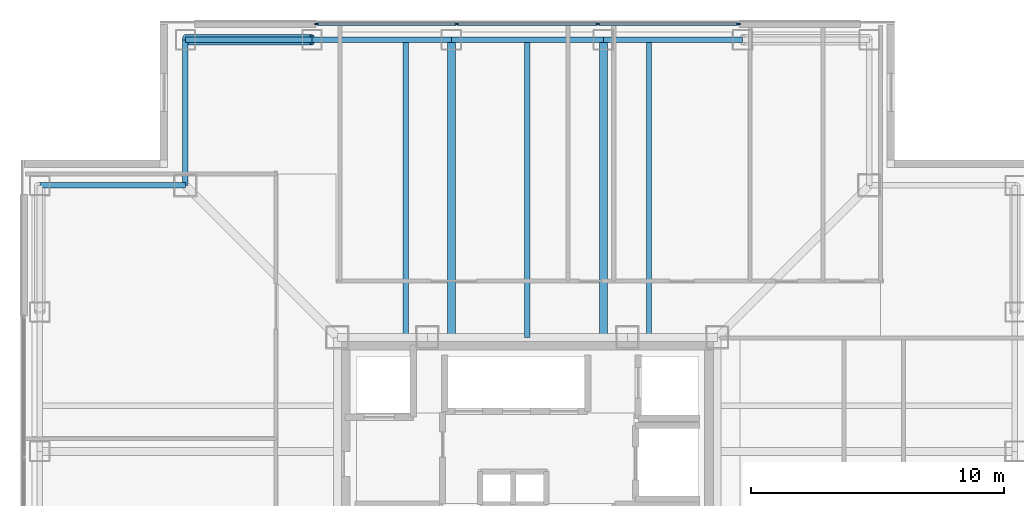
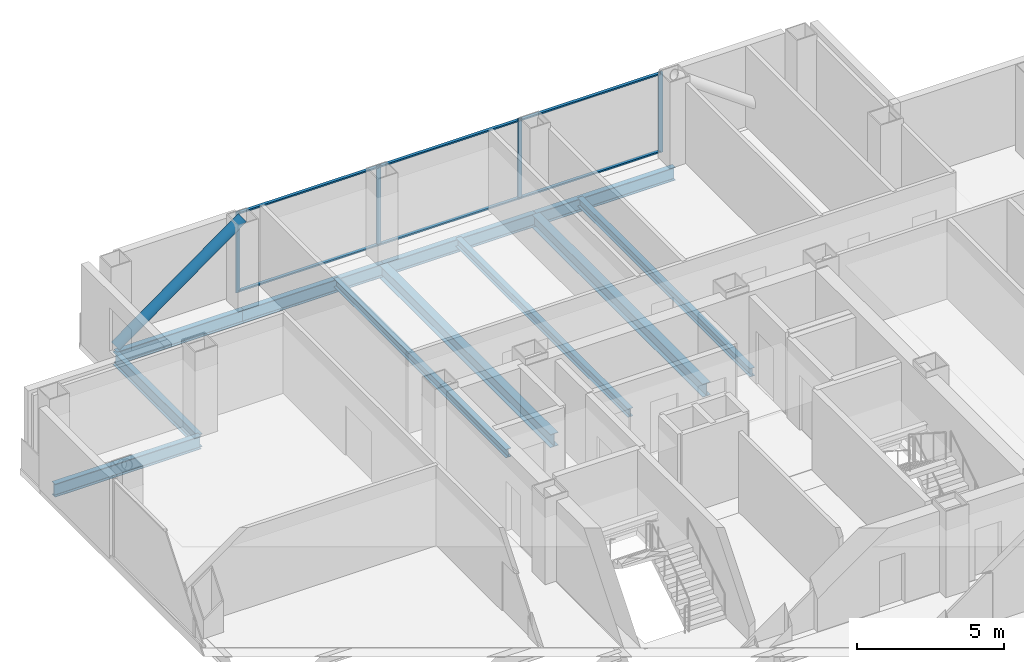
# One storey, part 7 of 16: 11 beams, 11 members, 1 element without a shape of its own.
"""IFC4 building model written with IfcOpenShell, lengths in metres."""

from ifc_helpers import new_model, si_unit, direction, frame, origin, origin_2d, place, context, subcontext, project, spatial, rectangle, hollow_circle, i_section, extrude, material, layer, layer_set, material_profile, profile_set, type_object, element, aggregate, save


model = new_model("IFC4")

# Units and contexts
model_context = context("Model", 3, precision=1e-05, world=origin(), true_north=direction((0.0, 1.0)))
body_context = subcontext(model_context, "Body", "Model", "MODEL_VIEW")
ifc_project = project(units=[si_unit("LENGTHUNIT", "METRE"), si_unit("AREAUNIT", "SQUARE_METRE"), si_unit("VOLUMEUNIT", "CUBIC_METRE"), si_unit("PLANEANGLEUNIT", "RADIAN"), si_unit("MASSUNIT", "GRAM", prefix="KILO")], contexts=[model_context])

# Site, building, storey
site_placement = place(None, origin())
site = spatial("IfcSite", under=ifc_project, at=site_placement, CompositionType="ELEMENT")
building_placement = place(site_placement, origin())
building = spatial("IfcBuilding", under=site, at=building_placement, Name="Trevonay Congress Spire", CompositionType="ELEMENT")
storey_placement = place(building_placement, frame((0.0, 0.0, 180.60009765625)))
storey = spatial("IfcBuildingStorey", under=building, at=storey_placement, Name="L46", CompositionType="ELEMENT", Elevation=180.60009765625)

# Beams
ifc_material_1 = material(Name="Steel ASTM A572 Grade 50", Category="steel")
ifc_material_profile_1 = material_profile(ifc_material_1, i_section(OverallWidth=0.31201171875, OverallDepth=0.54296875, WebThickness=0.0126953125, FlangeThickness=0.020263671875, FilletRadius=0.014892578125, at=origin_2d()), Name="W530x150")
ifc_profile_set_1 = profile_set([ifc_material_profile_1], Name="Steel ASTM A572 Grade 50")
beam_type_1 = type_object("IfcBeamType", Name="BM-GIRD-W530X150", PredefinedType="BEAM", material=ifc_profile_set_1)
for number, where, z_axis, x_axis, name in (
    (1, (-3.0, 7.5, -0.51171875), (0.0, 1.0, 0.0), (-1.0, 0.0, 0.0), "L46 structural beam BM-L46-GN-M"),
    (2, (3.0, 7.5, -0.51171875), (0.0, 1.0, 0.0), (-1.0, 0.0, 0.0), "L46 structural beam BM-L46-GN-P"),
):
    element("IfcBeam", number, at=place(storey_placement, frame(where, z_axis=z_axis, x_axis=x_axis)), inside=storey, type_object=beam_type_1, Name=name, PredefinedType="BEAM", context=body_context, shape_type="SweptSolid", body=[
        extrude(i_section(OverallWidth=0.31201171875, OverallDepth=0.54296875, WebThickness=0.0126953125, FlangeThickness=0.020263671875, FilletRadius=0.014892578125, at=origin_2d()), origin(), (0.0, 0.0, 1.0), 11.75),
    ])
ifc_material_profile_2 = material_profile(ifc_material_1, i_section(OverallWidth=0.2119140625, OverallDepth=0.5439453125, WebThickness=0.01318359375, FlangeThickness=0.021240234375, FilletRadius=0.014892578125, at=origin_2d()), Name="W530x123")
ifc_profile_set_2 = profile_set([ifc_material_profile_2], Name="Steel ASTM A572 Grade 50")
beam_type_2 = type_object("IfcBeamType", Name="BM-RING-W530X123", PredefinedType="BEAM", material=ifc_profile_set_2)
beam_1_placement = place(storey_placement, frame((-13.5, 19.25, -0.51220703125), z_axis=(1.0, 0.0, 0.0), x_axis=(0.0, 1.0, 0.0)))
element("IfcBeam", 3, at=beam_1_placement, inside=storey, type_object=beam_type_2, Name="L46 structural beam BM-L46-PN1", PredefinedType="BEAM", context=body_context, shape_type="SweptSolid", body=[
    extrude(i_section(OverallWidth=0.2119140625, OverallDepth=0.5439453125, WebThickness=0.01318359375, FlangeThickness=0.021240234375, FilletRadius=0.014892578125, at=origin_2d()), origin(), (0.0, 0.0, 1.0), 5.0),
])
beam_2_placement = place(storey_placement, frame((-8.5, 19.25, -0.51220703125), z_axis=(1.0, 0.0, 0.0), x_axis=(0.0, 1.0, 0.0)))
element("IfcBeam", 4, at=beam_2_placement, inside=storey, type_object=beam_type_2, Name="L46 structural beam BM-L46-PN2", PredefinedType="BEAM", context=body_context, shape_type="SweptSolid", body=[
    extrude(i_section(OverallWidth=0.2119140625, OverallDepth=0.5439453125, WebThickness=0.01318359375, FlangeThickness=0.021240234375, FilletRadius=0.014892578125, at=origin_2d()), origin(), (0.0, 0.0, 1.0), 5.5),
])
beam_3_placement = place(storey_placement, frame((-3.0, 19.25, -0.51220703125), z_axis=(1.0, 0.0, 0.0), x_axis=(0.0, 1.0, 0.0)))
element("IfcBeam", 5, at=beam_3_placement, inside=storey, type_object=beam_type_2, Name="L46 structural beam BM-L46-PN3", PredefinedType="BEAM", context=body_context, shape_type="SweptSolid", body=[
    extrude(i_section(OverallWidth=0.2119140625, OverallDepth=0.5439453125, WebThickness=0.01318359375, FlangeThickness=0.021240234375, FilletRadius=0.014892578125, at=origin_2d()), origin(), (0.0, 0.0, 1.0), 6.0),
])
beam_4_placement = place(storey_placement, frame((3.0, 19.25, -0.51220703125), z_axis=(1.0, 0.0, 0.0), x_axis=(0.0, 1.0, 0.0)))
element("IfcBeam", 6, at=beam_4_placement, inside=storey, type_object=beam_type_2, Name="L46 structural beam BM-L46-PN4", PredefinedType="BEAM", context=body_context, shape_type="SweptSolid", body=[
    extrude(i_section(OverallWidth=0.2119140625, OverallDepth=0.5439453125, WebThickness=0.01318359375, FlangeThickness=0.021240234375, FilletRadius=0.014892578125, at=origin_2d()), origin(), (0.0, 0.0, 1.0), 5.5),
])
for number, where, z_axis, x_axis, name in (
    (7, (-13.5, 19.25, -0.51220703125), (0.0, -1.0, 0.0), (1.0, 0.0, 0.0), "L46 structural beam BM-L46-N1NW"),
    (8, (-19.25, 13.5, -0.51220703125), (1.0, 0.0, 0.0), (0.0, 1.0, 0.0), "L46 structural beam BM-L46-N2NW"),
):
    element("IfcBeam", number, at=place(storey_placement, frame(where, z_axis=z_axis, x_axis=x_axis)), inside=storey, type_object=beam_type_2, Name=name, PredefinedType="BEAM", context=body_context, shape_type="SweptSolid", body=[
        extrude(i_section(OverallWidth=0.2119140625, OverallDepth=0.5439453125, WebThickness=0.01318359375, FlangeThickness=0.021240234375, FilletRadius=0.014892578125, at=origin_2d()), origin(), (0.0, 0.0, 1.0), 5.75),
    ])

# Curtain wall, members
ifc_material_2 = material(Name="Pale Anodised Aluminium EN AW-6063-T6", Category="aluminium")
ifc_layer = layer(ifc_material_2, 0.169921875, Name="Pale Anodised Aluminium EN AW-6063-T6")
ifc_layer_set = layer_set([ifc_layer], Name="Pale Anodised Aluminium EN AW-6063-T6")
curtain_wall_type = type_object("IfcCurtainWallType", Name="CW-SYS04-CORP-PALE-METAL", PredefinedType="NOTDEFINED", material=ifc_layer_set)
curtain_wall_placement = place(storey_placement, origin())
curtain_wall = element("IfcCurtainWall", 9, at=curtain_wall_placement, inside=storey, type_object=curtain_wall_type, Name="L46 N unitised curtain wall", PredefinedType="NOTDEFINED")
ifc_material_profile_3 = material_profile(ifc_material_2, rectangle(XDim=0.06005859375, YDim=0.159912109375, at=origin_2d()), Name="CW-MULLION-160-ALUMINIUM")
ifc_profile_set_3 = profile_set([ifc_material_profile_3], Name="Pale Anodised Aluminium EN AW-6063-T6")
member_type_1 = type_object("IfcMemberType", Name="CW-MULLION-160-ALUMINIUM", PredefinedType="MULLION", material=ifc_profile_set_3)
member_1_placement = place(storey_placement, frame((-8.320068359375, 19.8798828125, 0.0), z_axis=(0.0, 0.0, 1.0), x_axis=(0.0, 1.0, 0.0)))
member_1 = element("IfcMember", 10, at=member_1_placement, type_object=member_type_1, Name="CW04 mullion 1", PredefinedType="MULLION", context=body_context, shape_type="SweptSolid", body=[
    extrude(rectangle(XDim=0.06005859375, YDim=0.159912109375, at=origin_2d()), origin(), (0.0, 0.0, 1.0), 3.35986328125),
])
member_2_placement = place(storey_placement, frame((-2.783447265625, 19.8798828125, 0.0), z_axis=(0.0, 0.0, 1.0), x_axis=(0.0, 1.0, 0.0)))
member_2 = element("IfcMember", 11, at=member_2_placement, type_object=member_type_1, Name="CW04 mullion 2", PredefinedType="MULLION", context=body_context, shape_type="SweptSolid", body=[
    extrude(rectangle(XDim=0.06005859375, YDim=0.159912109375, at=origin_2d()), origin(), (0.0, 0.0, 1.0), 3.35986328125),
])
member_3_placement = place(storey_placement, frame((2.783447265625, 19.8798828125, 0.0), z_axis=(0.0, 0.0, 1.0), x_axis=(0.0, 1.0, 0.0)))
member_3 = element("IfcMember", 12, at=member_3_placement, type_object=member_type_1, Name="CW04 mullion 3", PredefinedType="MULLION", context=body_context, shape_type="SweptSolid", body=[
    extrude(rectangle(XDim=0.06005859375, YDim=0.159912109375, at=origin_2d()), origin(), (0.0, 0.0, 1.0), 3.35986328125),
])
member_4_placement = place(storey_placement, frame((8.320068359375, 19.8798828125, 0.0), z_axis=(0.0, 0.0, 1.0), x_axis=(0.0, 1.0, 0.0)))
member_4 = element("IfcMember", 13, at=member_4_placement, type_object=member_type_1, Name="CW04 mullion 4", PredefinedType="MULLION", context=body_context, shape_type="SweptSolid", body=[
    extrude(rectangle(XDim=0.06005859375, YDim=0.159912109375, at=origin_2d()), origin(), (0.0, 0.0, 1.0), 3.35986328125),
])
ifc_material_profile_4 = material_profile(ifc_material_2, rectangle(XDim=0.1201171875, YDim=0.06005859375, at=origin_2d()), Name="CW-TRANSOM-120-ALUMINIUM")
ifc_profile_set_4 = profile_set([ifc_material_profile_4], Name="Pale Anodised Aluminium EN AW-6063-T6")
member_type_2 = type_object("IfcMemberType", Name="CW-TRANSOM-120-ALUMINIUM", PredefinedType="USERDEFINED", material=ifc_profile_set_4)
member_5_placement = place(storey_placement, frame((-8.2900390625, 19.8798828125, 0.059814453125), z_axis=(1.0, 0.0, 0.0), x_axis=(0.0, 1.0, 0.0)))
member_5 = element("IfcMember", 14, at=member_5_placement, type_object=member_type_2, Name="CW04 transom 1.1", ObjectType="TRANSOM", PredefinedType="USERDEFINED", context=body_context, shape_type="SweptSolid", body=[
    extrude(rectangle(XDim=0.1201171875, YDim=0.06005859375, at=origin_2d()), origin(), (0.0, 0.0, 1.0), 5.476806640625),
])
member_6_placement = place(storey_placement, frame((-8.2900390625, 19.8798828125, 3.2998046875), z_axis=(1.0, 0.0, 0.0), x_axis=(0.0, 1.0, 0.0)))
member_6 = element("IfcMember", 15, at=member_6_placement, type_object=member_type_2, Name="CW04 transom 1.2", ObjectType="TRANSOM", PredefinedType="USERDEFINED", context=body_context, shape_type="SweptSolid", body=[
    extrude(rectangle(XDim=0.1201171875, YDim=0.06005859375, at=origin_2d()), origin(), (0.0, 0.0, 1.0), 5.476806640625),
])
member_7_placement = place(storey_placement, frame((-2.75341796875, 19.8798828125, 0.059814453125), z_axis=(1.0, 0.0, 0.0), x_axis=(0.0, 1.0, 0.0)))
member_7 = element("IfcMember", 16, at=member_7_placement, type_object=member_type_2, Name="CW04 transom 2.1", ObjectType="TRANSOM", PredefinedType="USERDEFINED", context=body_context, shape_type="SweptSolid", body=[
    extrude(rectangle(XDim=0.1201171875, YDim=0.06005859375, at=origin_2d()), origin(), (0.0, 0.0, 1.0), 5.5068359375),
])
member_8_placement = place(storey_placement, frame((-2.75341796875, 19.8798828125, 3.2998046875), z_axis=(1.0, 0.0, 0.0), x_axis=(0.0, 1.0, 0.0)))
member_8 = element("IfcMember", 17, at=member_8_placement, type_object=member_type_2, Name="CW04 transom 2.2", ObjectType="TRANSOM", PredefinedType="USERDEFINED", context=body_context, shape_type="SweptSolid", body=[
    extrude(rectangle(XDim=0.1201171875, YDim=0.06005859375, at=origin_2d()), origin(), (0.0, 0.0, 1.0), 5.5068359375),
])
member_9_placement = place(storey_placement, frame((2.813232421875, 19.8798828125, 0.059814453125), z_axis=(1.0, 0.0, 0.0), x_axis=(0.0, 1.0, 0.0)))
member_9 = element("IfcMember", 18, at=member_9_placement, type_object=member_type_2, Name="CW04 transom 3.1", ObjectType="TRANSOM", PredefinedType="USERDEFINED", context=body_context, shape_type="SweptSolid", body=[
    extrude(rectangle(XDim=0.1201171875, YDim=0.06005859375, at=origin_2d()), origin(), (0.0, 0.0, 1.0), 5.476806640625),
])
member_10_placement = place(storey_placement, frame((2.813232421875, 19.8798828125, 3.2998046875), z_axis=(1.0, 0.0, 0.0), x_axis=(0.0, 1.0, 0.0)))
member_10 = element("IfcMember", 19, at=member_10_placement, type_object=member_type_2, Name="CW04 transom 3.2", ObjectType="TRANSOM", PredefinedType="USERDEFINED", context=body_context, shape_type="SweptSolid", body=[
    extrude(rectangle(XDim=0.1201171875, YDim=0.06005859375, at=origin_2d()), origin(), (0.0, 0.0, 1.0), 5.476806640625),
])
aggregate(curtain_wall, [member_1, member_2, member_3, member_4, member_5, member_6, member_7, member_8, member_9, member_10])

# Beams
ifc_material_profile_5 = material_profile(ifc_material_1, i_section(OverallWidth=0.205078125, OverallDepth=0.35400390625, WebThickness=0.009521484375, FlangeThickness=0.016845703125, FilletRadius=0.011962890625, at=origin_2d()), Name="W360x79")
ifc_profile_set_5 = profile_set([ifc_material_profile_5], Name="Steel ASTM A572 Grade 50")
beam_type_3 = type_object("IfcBeamType", Name="JS-COMP-W360X79", PredefinedType="JOIST", material=ifc_profile_set_5)
for number, where, z_axis, x_axis, name in (
    (20, (-4.800048828125, 7.5, -0.4169921875), (0.0, 1.0, 0.0), (-1.0, 0.0, 0.0), "L46 structural beam JS-L46-NS-N1"),
    (21, (0.0, 7.5, -0.4169921875), (0.0, 1.0, 0.0), (-1.0, 0.0, 0.0), "L46 structural beam JS-L46-NS-N2"),
    (22, (4.800048828125, 7.5, -0.4169921875), (0.0, 1.0, 0.0), (-1.0, 0.0, 0.0), "L46 structural beam JS-L46-NS-N3"),
):
    element("IfcBeam", number, at=place(storey_placement, frame(where, z_axis=z_axis, x_axis=x_axis)), inside=storey, type_object=beam_type_3, Name=name, PredefinedType="JOIST", context=body_context, shape_type="SweptSolid", body=[
        extrude(i_section(OverallWidth=0.205078125, OverallDepth=0.35400390625, WebThickness=0.009521484375, FlangeThickness=0.016845703125, FilletRadius=0.011962890625, at=origin_2d()), origin(), (0.0, 0.0, 1.0), 11.75),
    ])

# Member
ifc_material_3 = material(Name="Steel ASTM A500 Grade C", Category="steel")
ifc_material_profile_6 = material_profile(ifc_material_3, hollow_circle(Radius=0.203125, WallThickness=0.02001953125, at=origin_2d()), Name="CHS 406.4x20")
ifc_profile_set_6 = profile_set([ifc_material_profile_6], Name="Steel ASTM A500 Grade C")
member_type_3 = type_object("IfcMemberType", Name="MBR-TUBE-CHS406", PredefinedType="BRACE", material=ifc_profile_set_6)
member_11_placement = place(storey_placement, frame((-13.5, 19.25, -0.050048828125), z_axis=(0.811545615365, 0.0, 0.584289067313), x_axis=(0.0, 1.0, 0.0)))
element("IfcMember", 23, at=member_11_placement, inside=storey, type_object=member_type_3, Name="L46 perimeter braced-tube diagonal N0", PredefinedType="BRACE", context=body_context, shape_type="SweptSolid", body=[
    extrude(hollow_circle(Radius=0.203125, WallThickness=0.02001953125, at=origin_2d()), origin(), (0.0, 0.0, 1.0), 6.1611328125),
])

save(model, "model.ifc")
